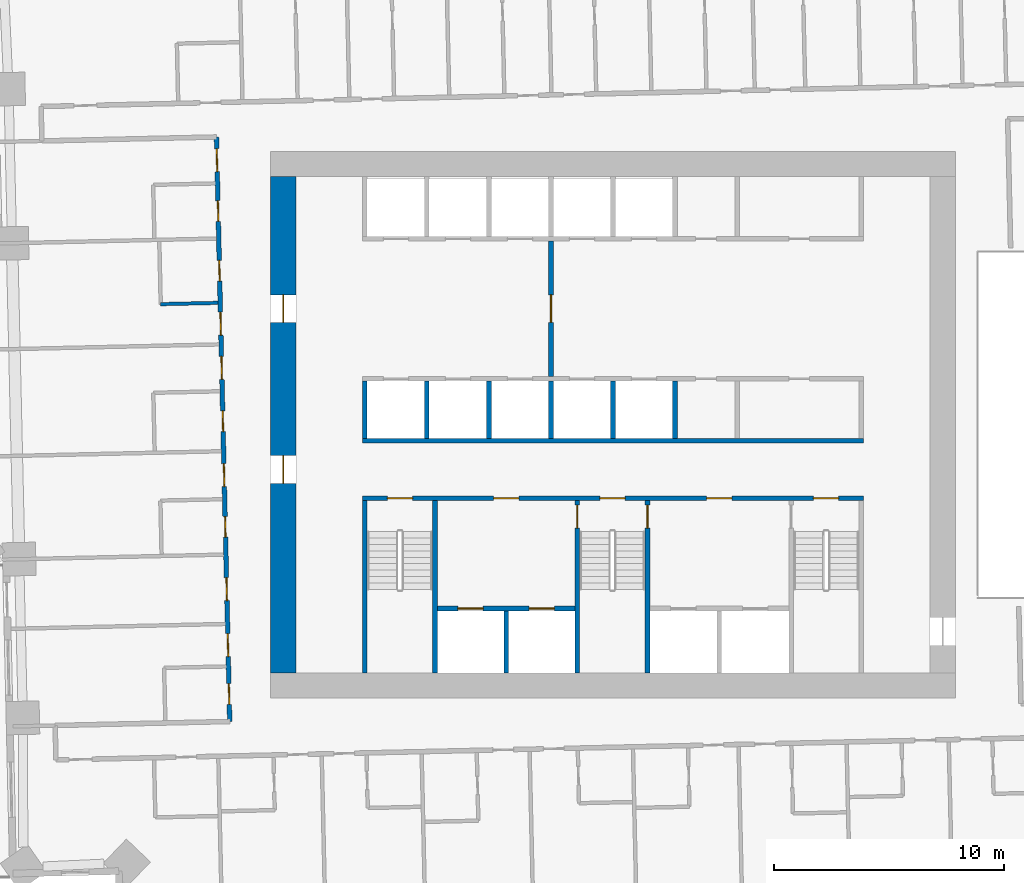
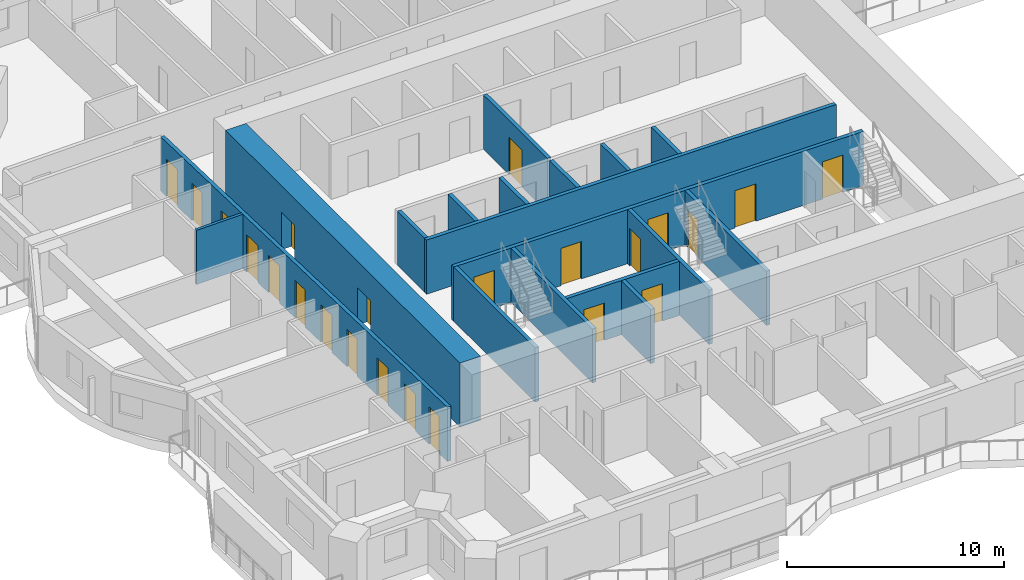
# One storey, part 8 of 17: 23 doors, 18 walls, 23 openings.
"""IFC4 building model written with IfcOpenShell, lengths in metres."""

from ifc_helpers import new_model, si_unit, direction, frame, frame_2d, origin, place, context, subcontext, project, spatial, rectangle, extrude, material, layer, layer_set, type_object, element, fill, save


model = new_model("IFC4")

# Units and contexts
model_context = context("Model", 3, precision=1e-05, world=origin(), true_north=direction((0.0, 1.0)))
body_context = subcontext(model_context, "Body", "Model", "MODEL_VIEW")
ifc_project = project(units=[si_unit("LENGTHUNIT", "METRE"), si_unit("AREAUNIT", "SQUARE_METRE"), si_unit("VOLUMEUNIT", "CUBIC_METRE"), si_unit("PLANEANGLEUNIT", "RADIAN"), si_unit("MASSUNIT", "GRAM", prefix="KILO")], contexts=[model_context])

# Site, building, storey
site_placement = place(None, origin())
site = spatial("IfcSite", under=ifc_project, at=site_placement, CompositionType="ELEMENT")
building_placement = place(site_placement, origin())
building = spatial("IfcBuilding", under=site, at=building_placement, Name="Mangrove Gate Tower", CompositionType="ELEMENT")
storey_placement = place(building_placement, frame((0.0, 0.0, 82.89990234375)))
storey = spatial("IfcBuildingStorey", under=building, at=storey_placement, Name="L20", CompositionType="ELEMENT", Elevation=82.89990234375)

# Wall, opening, door
ifc_material_1 = material(Name="Concrete C32/40", Category="concrete")
ifc_layer_1 = layer(ifc_material_1, 0.199951171875)
ifc_layer_set_1 = layer_set([ifc_layer_1], Name="Core lobby wall 200 C32/40")
wall_type_1 = type_object("IfcWallType", Name="Core lobby wall 200 C32/40", PredefinedType="STANDARD", material=ifc_layer_set_1)
wall_1_placement = place(storey_placement, frame((-2.699951171875, 2.10009765625, 0.0), z_axis=(0.0, 0.0, 1.0), x_axis=(0.0, 1.0, 0.0)))
wall_1 = element("IfcWall", 1, at=wall_1_placement, inside=storey, type_object=wall_type_1, Name="WALL-L20-CORE-35", PredefinedType="STANDARD", context=body_context, shape_type="SweptSolid", body=[
    extrude(rectangle(XDim=5.89990234375, YDim=0.199951171875, at=frame_2d((2.949951171875, 0.0))), origin(), (0.0, 0.0, 1.0), 3.050048828125),
])
opening_1_placement = place(wall_1_placement, frame((2.35009765625, 0.0, 0.0)))
opening_1 = element("IfcOpeningElement", 2, at=opening_1_placement, cuts=wall_1, Name="Opening FL12", PredefinedType="OPENING", context=body_context, shape_type="SweptSolid", body=[
    extrude(rectangle(XDim=1.199951171875, YDim=2.10009765625, at=frame_2d((0.60009765625, 1.050048828125))), frame((0.0, 0.10986328125, 0.0), z_axis=(0.0, -1.0, 0.0), x_axis=(1.0, 0.0, 0.0)), (0.0, 0.0, 1.0), 0.219970703125),
])
ifc_material_2 = material(Name="Fire-rated steel door set", Category="steel")
door_type_1 = type_object("IfcDoorType", Name="Lobby door FD60 1200x2100", OperationType="SINGLE_SWING_LEFT", PredefinedType="DOOR", material=ifc_material_2)
door_1_placement = place(opening_1_placement, origin())
door_1 = element("IfcDoor", 3, at=door_1_placement, inside=storey, type_object=door_type_1, Name="Lobby door lift lobby partition", OperationType="SINGLE_SWING_LEFT", OverallHeight=2.10009765625, OverallWidth=1.199951171875, PredefinedType="DOOR", context=body_context, shape_type="SweptSolid", body=[
    extrude(rectangle(XDim=1.199951171875, YDim=2.10009765625, at=frame_2d((0.60009765625, 1.050048828125))), frame((0.0, 0.02490234375, 0.0), z_axis=(0.0, -1.0, 0.0), x_axis=(1.0, 0.0, 0.0)), (0.0, 0.0, 1.0), 0.050048828125),
])
fill(opening_1, door_1)

# Wall
ifc_material_3 = material(Name="Concrete C70/85", Category="concrete")
ifc_layer_2 = layer(ifc_material_3, 0.199951171875)
ifc_layer_set_2 = layer_set([ifc_layer_2], Name="Core shaft wall 200 C70/85")
wall_type_2 = type_object("IfcWallType", Name="Core shaft wall 200 C70/85", PredefinedType="SHEAR", material=ifc_layer_set_2)
wall_2_placement = place(storey_placement, frame((-10.89990234375, -0.699951171875, 0.0), z_axis=(0.0, 0.0, 1.0), x_axis=(1.0, 0.0, 0.0)))
element("IfcWall", 4, at=wall_2_placement, inside=storey, type_object=wall_type_2, Name="WALL-L20-CORE-6", PredefinedType="SHEAR", context=body_context, shape_type="SweptSolid", body=[
    extrude(rectangle(XDim=21.7998046875, YDim=0.199951171875, at=frame_2d((10.89990234375, 0.0))), origin(), (0.0, 0.0, 1.0), 3.050048828125),
])

# Wall, openings, doors
wall_3_placement = place(storey_placement, frame((-7.64990234375, -8.0, 0.0), z_axis=(0.0, 0.0, 1.0), x_axis=(1.0, 0.0, 0.0)))
wall_3 = element("IfcWall", 5, at=wall_3_placement, inside=storey, type_object=wall_type_2, Name="WALL-L20-CORE-15", PredefinedType="SHEAR", context=body_context, shape_type="SweptSolid", body=[
    extrude(rectangle(XDim=6.0, YDim=0.199951171875, at=frame_2d((3.0, 0.0))), origin(), (0.0, 0.0, 1.0), 3.050048828125),
])
opening_2_placement = place(wall_3_placement, frame((0.89990234375, 0.0, 0.0)))
opening_2 = element("IfcOpeningElement", 6, at=opening_2_placement, cuts=wall_3, Name="Opening LD", PredefinedType="OPENING", context=body_context, shape_type="SweptSolid", body=[
    extrude(rectangle(XDim=1.10009765625, YDim=2.10009765625, at=frame_2d((0.550048828125, 1.050048828125))), frame((0.0, 0.10986328125, 0.0), z_axis=(0.0, -1.0, 0.0), x_axis=(1.0, 0.0, 0.0)), (0.0, 0.0, 1.0), 0.219970703125),
])
opening_3_placement = place(wall_3_placement, frame((4.0, 0.0, 0.0)))
opening_3 = element("IfcOpeningElement", 7, at=opening_3_placement, cuts=wall_3, Name="Opening LD", PredefinedType="OPENING", context=body_context, shape_type="SweptSolid", body=[
    extrude(rectangle(XDim=1.10009765625, YDim=2.10009765625, at=frame_2d((0.550048828125, 1.050048828125))), frame((0.0, 0.10986328125, 0.0), z_axis=(0.0, -1.0, 0.0), x_axis=(1.0, 0.0, 0.0)), (0.0, 0.0, 1.0), 0.219970703125),
])
ifc_material_4 = material(Name="Stainless steel 316", Category="steel")
door_type_2 = type_object("IfcDoorType", Name="Lift landing door 1100x2100", OperationType="SLIDING_TO_LEFT", PredefinedType="DOOR", material=ifc_material_4)
door_2_placement = place(opening_2_placement, origin())
door_2 = element("IfcDoor", 8, at=door_2_placement, inside=storey, type_object=door_type_2, Name="Landing door LD SVL1", OperationType="SLIDING_TO_LEFT", OverallHeight=2.10009765625, OverallWidth=1.10009765625, PredefinedType="DOOR", context=body_context, shape_type="SweptSolid", body=[
    extrude(rectangle(XDim=1.10009765625, YDim=2.10009765625, at=frame_2d((0.550048828125, 1.050048828125))), frame((0.0, 0.02490234375, 0.0), z_axis=(0.0, -1.0, 0.0), x_axis=(1.0, 0.0, 0.0)), (0.0, 0.0, 1.0), 0.050048828125),
])
fill(opening_2, door_2)
door_3_placement = place(opening_3_placement, origin())
door_3 = element("IfcDoor", 9, at=door_3_placement, inside=storey, type_object=door_type_2, Name="Landing door LD SVL2", OperationType="SLIDING_TO_LEFT", OverallHeight=2.10009765625, OverallWidth=1.10009765625, PredefinedType="DOOR", context=body_context, shape_type="SweptSolid", body=[
    extrude(rectangle(XDim=1.10009765625, YDim=2.10009765625, at=frame_2d((0.550048828125, 1.050048828125))), frame((0.0, 0.02490234375, 0.0), z_axis=(0.0, -1.0, 0.0), x_axis=(1.0, 0.0, 0.0)), (0.0, 0.0, 1.0), 0.050048828125),
])
fill(opening_3, door_3)

# Walls
wall_4_placement = place(storey_placement, frame((-4.64990234375, -10.800048828125, 0.0), z_axis=(0.0, 0.0, 1.0), x_axis=(0.0, 1.0, 0.0)))
element("IfcWall", 10, at=wall_4_placement, inside=storey, type_object=wall_type_2, Name="WALL-L20-CORE-16", PredefinedType="SHEAR", context=body_context, shape_type="SweptSolid", body=[
    extrude(rectangle(XDim=2.699951171875, YDim=0.199951171875, at=frame_2d((1.35009765625, 0.0))), origin(), (0.0, 0.0, 1.0), 3.050048828125),
])
for number, where, z_axis, x_axis, name in (
    (11, (-10.800048828125, -0.60009765625, 0.0), (0.0, 0.0, 1.0), (0.0, 1.0, 0.0), "WALL-L20-CORE-19"),
    (12, (-8.10009765625, -0.60009765625, 0.0), (0.0, 0.0, 1.0), (0.0, 1.0, 0.0), "WALL-L20-CORE-20"),
    (13, (-5.39990234375, -0.60009765625, 0.0), (0.0, 0.0, 1.0), (0.0, 1.0, 0.0), "WALL-L20-CORE-21"),
    (14, (-2.699951171875, -0.60009765625, 0.0), (0.0, 0.0, 1.0), (0.0, 1.0, 0.0), "WALL-L20-CORE-22"),
    (15, (0.0, -0.60009765625, 0.0), (0.0, 0.0, 1.0), (0.0, 1.0, 0.0), "WALL-L20-CORE-23"),
    (16, (2.699951171875, -0.60009765625, 0.0), (0.0, 0.0, 1.0), (0.0, 1.0, 0.0), "WALL-L20-CORE-24"),
):
    element("IfcWall", number, at=place(storey_placement, frame(where, z_axis=z_axis, x_axis=x_axis)), inside=storey, type_object=wall_type_2, Name=name, PredefinedType="SHEAR", context=body_context, shape_type="SweptSolid", body=[
        extrude(rectangle(XDim=2.5, YDim=0.199951171875, at=frame_2d((1.25, 0.0))), origin(), (0.0, 0.0, 1.0), 3.050048828125),
    ])

# Wall, openings, doors
ifc_material_5 = material(Name="Concrete C70/85", Category="concrete")
ifc_layer_3 = layer(ifc_material_5, 0.199951171875)
ifc_layer_set_3 = layer_set([ifc_layer_3], Name="Core stair wall 200 C70/85")
wall_type_3 = type_object("IfcWallType", Name="Core stair wall 200 C70/85", PredefinedType="SHEAR", material=ifc_layer_set_3)
wall_5_placement = place(storey_placement, frame((-10.89990234375, -3.199951171875, 0.0), z_axis=(0.0, 0.0, 1.0), x_axis=(1.0, 0.0, 0.0)))
wall_5 = element("IfcWall", 17, at=wall_5_placement, inside=storey, type_object=wall_type_3, Name="WALL-L20-CORE-5", PredefinedType="SHEAR", context=body_context, shape_type="SweptSolid", body=[
    extrude(rectangle(XDim=21.7998046875, YDim=0.199951171875, at=frame_2d((10.89990234375, 0.0))), origin(), (0.0, 0.0, 1.0), 3.050048828125),
])
opening_4_placement = place(wall_5_placement, frame((1.074951171875, 0.0, 0.0)))
opening_4 = element("IfcOpeningElement", 18, at=opening_4_placement, cuts=wall_5, Name="Opening STD11", PredefinedType="OPENING", context=body_context, shape_type="SweptSolid", body=[
    extrude(rectangle(XDim=1.10009765625, YDim=2.10009765625, at=frame_2d((0.550048828125, 1.050048828125))), frame((0.0, 0.10986328125, 0.0), z_axis=(0.0, -1.0, 0.0), x_axis=(1.0, 0.0, 0.0)), (0.0, 0.0, 1.0), 0.219970703125),
])
opening_5_placement = place(wall_5_placement, frame((10.324951171875, 0.0, 0.0)))
opening_5 = element("IfcOpeningElement", 19, at=opening_5_placement, cuts=wall_5, Name="Opening STD11", PredefinedType="OPENING", context=body_context, shape_type="SweptSolid", body=[
    extrude(rectangle(XDim=1.10009765625, YDim=2.10009765625, at=frame_2d((0.550048828125, 1.050048828125))), frame((0.0, 0.10986328125, 0.0), z_axis=(0.0, -1.0, 0.0), x_axis=(1.0, 0.0, 0.0)), (0.0, 0.0, 1.0), 0.219970703125),
])
opening_6_placement = place(wall_5_placement, frame((19.625, 0.0, 0.0)))
opening_6 = element("IfcOpeningElement", 20, at=opening_6_placement, cuts=wall_5, Name="Opening STD11", PredefinedType="OPENING", context=body_context, shape_type="SweptSolid", body=[
    extrude(rectangle(XDim=1.10009765625, YDim=2.10009765625, at=frame_2d((0.550048828125, 1.050048828125))), frame((0.0, 0.10986328125, 0.0), z_axis=(0.0, -1.0, 0.0), x_axis=(1.0, 0.0, 0.0)), (0.0, 0.0, 1.0), 0.219970703125),
])
opening_7_placement = place(wall_5_placement, frame((5.699951171875, 0.0, 0.0)))
opening_7 = element("IfcOpeningElement", 21, at=opening_7_placement, cuts=wall_5, Name="Opening FL", PredefinedType="OPENING", context=body_context, shape_type="SweptSolid", body=[
    extrude(rectangle(XDim=1.10009765625, YDim=2.10009765625, at=frame_2d((0.550048828125, 1.050048828125))), frame((0.0, 0.10986328125, 0.0), z_axis=(0.0, -1.0, 0.0), x_axis=(1.0, 0.0, 0.0)), (0.0, 0.0, 1.0), 0.219970703125),
])
opening_8_placement = place(wall_5_placement, frame((14.97509765625, 0.0, 0.0)))
opening_8 = element("IfcOpeningElement", 22, at=opening_8_placement, cuts=wall_5, Name="Opening FL", PredefinedType="OPENING", context=body_context, shape_type="SweptSolid", body=[
    extrude(rectangle(XDim=1.10009765625, YDim=2.10009765625, at=frame_2d((0.550048828125, 1.050048828125))), frame((0.0, 0.10986328125, 0.0), z_axis=(0.0, -1.0, 0.0), x_axis=(1.0, 0.0, 0.0)), (0.0, 0.0, 1.0), 0.219970703125),
])
ifc_material_6 = material(Name="Fire-rated steel door set", Category="steel")
door_type_3 = type_object("IfcDoorType", Name="Lobby door FD60 1100x2100", OperationType="SINGLE_SWING_LEFT", PredefinedType="DOOR", material=ifc_material_6)
door_4_placement = place(opening_7_placement, origin())
door_4 = element("IfcDoor", 23, at=door_4_placement, inside=storey, type_object=door_type_3, Name="Lobby door service lobby", OperationType="SINGLE_SWING_LEFT", OverallHeight=2.10009765625, OverallWidth=1.10009765625, PredefinedType="DOOR", context=body_context, shape_type="SweptSolid", body=[
    extrude(rectangle(XDim=1.10009765625, YDim=2.10009765625, at=frame_2d((0.550048828125, 1.050048828125))), frame((0.0, 0.02490234375, 0.0), z_axis=(0.0, -1.0, 0.0), x_axis=(1.0, 0.0, 0.0)), (0.0, 0.0, 1.0), 0.050048828125),
])
fill(opening_7, door_4)
door_5_placement = place(opening_8_placement, origin())
door_5 = element("IfcDoor", 24, at=door_5_placement, inside=storey, type_object=door_type_3, Name="Lobby door fire-fighting lobby", OperationType="SINGLE_SWING_LEFT", OverallHeight=2.10009765625, OverallWidth=1.10009765625, PredefinedType="DOOR", context=body_context, shape_type="SweptSolid", body=[
    extrude(rectangle(XDim=1.10009765625, YDim=2.10009765625, at=frame_2d((0.550048828125, 1.050048828125))), frame((0.0, 0.02490234375, 0.0), z_axis=(0.0, -1.0, 0.0), x_axis=(1.0, 0.0, 0.0)), (0.0, 0.0, 1.0), 0.050048828125),
])
fill(opening_8, door_5)
ifc_material_7 = material(Name="Fire-rated steel door set", Category="steel")
door_type_4 = type_object("IfcDoorType", Name="Stair door FD60 1100x2100", OperationType="SINGLE_SWING_RIGHT", PredefinedType="DOOR", material=ifc_material_7)
door_6_placement = place(opening_4_placement, origin())
door_6 = element("IfcDoor", 25, at=door_6_placement, inside=storey, type_object=door_type_4, Name="Stair door Stair 1", OperationType="SINGLE_SWING_RIGHT", OverallHeight=2.10009765625, OverallWidth=1.10009765625, PredefinedType="DOOR", context=body_context, shape_type="SweptSolid", body=[
    extrude(rectangle(XDim=1.10009765625, YDim=2.10009765625, at=frame_2d((0.550048828125, 1.050048828125))), frame((0.0, 0.02490234375, 0.0), z_axis=(0.0, -1.0, 0.0), x_axis=(1.0, 0.0, 0.0)), (0.0, 0.0, 1.0), 0.050048828125),
])
fill(opening_4, door_6)
door_7_placement = place(opening_5_placement, origin())
door_7 = element("IfcDoor", 26, at=door_7_placement, inside=storey, type_object=door_type_4, Name="Stair door Stair 2", OperationType="SINGLE_SWING_RIGHT", OverallHeight=2.10009765625, OverallWidth=1.10009765625, PredefinedType="DOOR", context=body_context, shape_type="SweptSolid", body=[
    extrude(rectangle(XDim=1.10009765625, YDim=2.10009765625, at=frame_2d((0.550048828125, 1.050048828125))), frame((0.0, 0.02490234375, 0.0), z_axis=(0.0, -1.0, 0.0), x_axis=(1.0, 0.0, 0.0)), (0.0, 0.0, 1.0), 0.050048828125),
])
fill(opening_5, door_7)
door_8_placement = place(opening_6_placement, origin())
door_8 = element("IfcDoor", 27, at=door_8_placement, inside=storey, type_object=door_type_4, Name="Stair door Stair 3", OperationType="SINGLE_SWING_RIGHT", OverallHeight=2.10009765625, OverallWidth=1.10009765625, PredefinedType="DOOR", context=body_context, shape_type="SweptSolid", body=[
    extrude(rectangle(XDim=1.10009765625, YDim=2.10009765625, at=frame_2d((0.550048828125, 1.050048828125))), frame((0.0, 0.02490234375, 0.0), z_axis=(0.0, -1.0, 0.0), x_axis=(1.0, 0.0, 0.0)), (0.0, 0.0, 1.0), 0.050048828125),
])
fill(opening_6, door_8)

# Walls
for number, where, z_axis, x_axis, name in (
    (28, (-10.800048828125, -10.800048828125, 0.0), (0.0, 0.0, 1.0), (0.0, 1.0, 0.0), "WALL-L20-CORE-9"),
    (29, (-7.75, -10.800048828125, 0.0), (0.0, 0.0, 1.0), (0.0, 1.0, 0.0), "WALL-L20-CORE-10"),
):
    element("IfcWall", number, at=place(storey_placement, frame(where, z_axis=z_axis, x_axis=x_axis)), inside=storey, type_object=wall_type_3, Name=name, PredefinedType="SHEAR", context=body_context, shape_type="SweptSolid", body=[
        extrude(rectangle(XDim=7.5, YDim=0.199951171875, at=frame_2d((3.75, 0.0))), origin(), (0.0, 0.0, 1.0), 3.050048828125),
    ])

# Wall, opening, door
wall_6_placement = place(storey_placement, frame((-1.550048828125, -10.800048828125, 0.0), z_axis=(0.0, 0.0, 1.0), x_axis=(0.0, 1.0, 0.0)))
wall_6 = element("IfcWall", 30, at=wall_6_placement, inside=storey, type_object=wall_type_3, Name="WALL-L20-CORE-11", PredefinedType="SHEAR", context=body_context, shape_type="SweptSolid", body=[
    extrude(rectangle(XDim=7.5, YDim=0.199951171875, at=frame_2d((3.75, 0.0))), origin(), (0.0, 0.0, 1.0), 3.050048828125),
])
opening_9_placement = place(wall_6_placement, frame((6.300048828125, 0.0, 0.0)))
opening_9 = element("IfcOpeningElement", 31, at=opening_9_placement, cuts=wall_6, Name="Opening STD10", PredefinedType="OPENING", context=body_context, shape_type="SweptSolid", body=[
    extrude(rectangle(XDim=1.0, YDim=2.10009765625, at=frame_2d((0.5, 1.050048828125))), frame((0.0, 0.10986328125, 0.0), z_axis=(0.0, -1.0, 0.0), x_axis=(1.0, 0.0, 0.0)), (0.0, 0.0, 1.0), 0.219970703125),
])
ifc_material_8 = material(Name="Fire-rated steel door set", Category="steel")
door_type_5 = type_object("IfcDoorType", Name="Stair door FD60 1000x2100", OperationType="SINGLE_SWING_RIGHT", PredefinedType="DOOR", material=ifc_material_8)
door_9_placement = place(opening_9_placement, origin())
door_9 = element("IfcDoor", 32, at=door_9_placement, inside=storey, type_object=door_type_5, Name="Stair door Stair 2 from service lobby", OperationType="SINGLE_SWING_RIGHT", OverallHeight=2.10009765625, OverallWidth=1.0, PredefinedType="DOOR", context=body_context, shape_type="SweptSolid", body=[
    extrude(rectangle(XDim=1.0, YDim=2.10009765625, at=frame_2d((0.5, 1.050048828125))), frame((0.0, 0.02490234375, 0.0), z_axis=(0.0, -1.0, 0.0), x_axis=(1.0, 0.0, 0.0)), (0.0, 0.0, 1.0), 0.050048828125),
])
fill(opening_9, door_9)

wall_7_placement = place(storey_placement, frame((1.5, -10.800048828125, 0.0), z_axis=(0.0, 0.0, 1.0), x_axis=(0.0, 1.0, 0.0)))
wall_7 = element("IfcWall", 33, at=wall_7_placement, inside=storey, type_object=wall_type_3, Name="WALL-L20-CORE-12", PredefinedType="SHEAR", context=body_context, shape_type="SweptSolid", body=[
    extrude(rectangle(XDim=7.5, YDim=0.199951171875, at=frame_2d((3.75, 0.0))), origin(), (0.0, 0.0, 1.0), 3.050048828125),
])
opening_10_placement = place(wall_7_placement, frame((6.300048828125, 0.0, 0.0)))
opening_10 = element("IfcOpeningElement", 34, at=opening_10_placement, cuts=wall_7, Name="Opening STD10", PredefinedType="OPENING", context=body_context, shape_type="SweptSolid", body=[
    extrude(rectangle(XDim=1.0, YDim=2.10009765625, at=frame_2d((0.5, 1.050048828125))), frame((0.0, 0.10986328125, 0.0), z_axis=(0.0, -1.0, 0.0), x_axis=(1.0, 0.0, 0.0)), (0.0, 0.0, 1.0), 0.219970703125),
])
door_10_placement = place(opening_10_placement, origin())
door_10 = element("IfcDoor", 35, at=door_10_placement, inside=storey, type_object=door_type_5, Name="Stair door Stair 2 from fire-fighting lobby", OperationType="SINGLE_SWING_RIGHT", OverallHeight=2.10009765625, OverallWidth=1.0, PredefinedType="DOOR", context=body_context, shape_type="SweptSolid", body=[
    extrude(rectangle(XDim=1.0, YDim=2.10009765625, at=frame_2d((0.5, 1.050048828125))), frame((0.0, 0.02490234375, 0.0), z_axis=(0.0, -1.0, 0.0), x_axis=(1.0, 0.0, 0.0)), (0.0, 0.0, 1.0), 0.050048828125),
])
fill(opening_10, door_10)

# Wall, openings, doors
ifc_material_9 = material(Name="Concrete C70/85", Category="concrete")
ifc_layer_4 = layer(ifc_material_9, 1.10009765625)
ifc_layer_set_4 = layer_set([ifc_layer_4], Name="Core wall 1100 C70/85")
wall_type_4 = type_object("IfcWallType", Name="Core wall 1100 C70/85", PredefinedType="SHEAR", material=ifc_layer_set_4)
wall_8_placement = place(storey_placement, frame((-14.35009765625, -10.800048828125, 0.0), z_axis=(0.0, 0.0, 1.0), x_axis=(0.0, 1.0, 0.0)))
wall_8 = element("IfcWall", 36, at=wall_8_placement, inside=storey, type_object=wall_type_4, Name="WALL-L20-CORE-3", PredefinedType="SHEAR", context=body_context, shape_type="SweptSolid", body=[
    extrude(rectangle(XDim=21.60009765625, YDim=1.10009765625, at=frame_2d((10.800048828125, 0.0))), origin(), (0.0, 0.0, 1.0), 3.60009765625),
])
opening_11_placement = place(wall_8_placement, frame((8.25, 0.0, 0.0)))
opening_11 = element("IfcOpeningElement", 37, at=opening_11_placement, cuts=wall_8, Name="Opening CD", PredefinedType="OPENING", context=body_context, shape_type="SweptSolid", body=[
    extrude(rectangle(XDim=1.199951171875, YDim=2.10009765625, at=frame_2d((0.60009765625, 1.050048828125))), frame((0.0, 0.56005859375, 0.0), z_axis=(0.0, -1.0, 0.0), x_axis=(1.0, 0.0, 0.0)), (0.0, 0.0, 1.0), 1.1201171875),
])
opening_12_placement = place(wall_8_placement, frame((15.25, 0.0, 0.0)))
opening_12 = element("IfcOpeningElement", 38, at=opening_12_placement, cuts=wall_8, Name="Opening CD", PredefinedType="OPENING", context=body_context, shape_type="SweptSolid", body=[
    extrude(rectangle(XDim=1.199951171875, YDim=2.10009765625, at=frame_2d((0.60009765625, 1.050048828125))), frame((0.0, 0.56005859375, 0.0), z_axis=(0.0, -1.0, 0.0), x_axis=(1.0, 0.0, 0.0)), (0.0, 0.0, 1.0), 1.1201171875),
])
ifc_material_10 = material(Name="Fire-rated steel door set", Category="steel")
door_type_6 = type_object("IfcDoorType", Name="Core ring door FD60 1200x2100", OperationType="DOUBLE_DOOR_SINGLE_SWING", PredefinedType="DOOR", material=ifc_material_10)
door_11_placement = place(opening_11_placement, origin())
door_11 = element("IfcDoor", 39, at=door_11_placement, inside=storey, type_object=door_type_6, Name="Core ring door W1", OperationType="DOUBLE_DOOR_SINGLE_SWING", OverallHeight=2.10009765625, OverallWidth=1.199951171875, PredefinedType="DOOR", context=body_context, shape_type="SweptSolid", body=[
    extrude(rectangle(XDim=1.199951171875, YDim=2.10009765625, at=frame_2d((0.60009765625, 1.050048828125))), frame((0.0, 0.02490234375, 0.0), z_axis=(0.0, -1.0, 0.0), x_axis=(1.0, 0.0, 0.0)), (0.0, 0.0, 1.0), 0.050048828125),
])
fill(opening_11, door_11)
door_12_placement = place(opening_12_placement, origin())
door_12 = element("IfcDoor", 40, at=door_12_placement, inside=storey, type_object=door_type_6, Name="Core ring door W2", OperationType="DOUBLE_DOOR_SINGLE_SWING", OverallHeight=2.10009765625, OverallWidth=1.199951171875, PredefinedType="DOOR", context=body_context, shape_type="SweptSolid", body=[
    extrude(rectangle(XDim=1.199951171875, YDim=2.10009765625, at=frame_2d((0.60009765625, 1.050048828125))), frame((0.0, 0.02490234375, 0.0), z_axis=(0.0, -1.0, 0.0), x_axis=(1.0, 0.0, 0.0)), (0.0, 0.0, 1.0), 0.050048828125),
])
fill(opening_12, door_12)

ifc_material_11 = material(Name="Gypsum board on steel stud, EI 60", Category="steel")
ifc_layer_5 = layer(ifc_material_11, 0.199951171875)
ifc_layer_set_5 = layer_set([ifc_layer_5], Name="Corridor wall EI 60")
wall_type_5 = type_object("IfcWallType", Name="Corridor wall EI 60", PredefinedType="PARTITIONING", material=ifc_layer_set_5)
wall_9_placement = place(storey_placement, frame((-16.68408203125, -12.9189453125, 0.0), z_axis=(0.0, 0.0, 1.0), x_axis=(-0.022706151961, 0.999742182097, 0.0)))
wall_9 = element("IfcWall", 41, at=wall_9_placement, inside=storey, type_object=wall_type_5, Name="WALL-L20-036", PredefinedType="PARTITIONING", context=body_context, shape_type="SweptSolid", body=[
    extrude(rectangle(XDim=25.450439453125, YDim=0.199951171875, at=frame_2d((12.72509765625, 0.0))), origin(), (0.0, 0.0, 1.0), 3.050048828125),
])
opening_13_placement = place(wall_9_placement, frame((23.93798828125, 0.0, 0.0)))
opening_13 = element("IfcOpeningElement", 42, at=opening_13_placement, cuts=wall_9, Name="Opening AD", PredefinedType="OPENING", context=body_context, shape_type="SweptSolid", body=[
    extrude(rectangle(XDim=1.0, YDim=2.10009765625, at=frame_2d((0.5, 1.050048828125))), frame((0.0, 0.10986328125, 0.0), z_axis=(0.0, -1.0, 0.0), x_axis=(1.0, 0.0, 0.0)), (0.0, 0.0, 1.0), 0.219970703125),
])
opening_14_placement = place(wall_9_placement, frame((21.77490234375, 0.0, 0.0)))
opening_14 = element("IfcOpeningElement", 43, at=opening_14_placement, cuts=wall_9, Name="Opening SD", PredefinedType="OPENING", context=body_context, shape_type="SweptSolid", body=[
    extrude(rectangle(XDim=0.89990234375, YDim=2.10009765625, at=frame_2d((0.449951171875, 1.050048828125))), frame((0.0, 0.10986328125, 0.0), z_axis=(0.0, -1.0, 0.0), x_axis=(1.0, 0.0, 0.0)), (0.0, 0.0, 1.0), 0.219970703125),
])
opening_15_placement = place(wall_9_placement, frame((16.824951171875, 0.0, 0.0)))
opening_15 = element("IfcOpeningElement", 44, at=opening_15_placement, cuts=wall_9, Name="Opening AD", PredefinedType="OPENING", context=body_context, shape_type="SweptSolid", body=[
    extrude(rectangle(XDim=1.0, YDim=2.10009765625, at=frame_2d((0.5, 1.050048828125))), frame((0.0, 0.10986328125, 0.0), z_axis=(0.0, -1.0, 0.0), x_axis=(1.0, 0.0, 0.0)), (0.0, 0.0, 1.0), 0.219970703125),
])
opening_16_placement = place(wall_9_placement, frame((19.175048828125, 0.0, 0.0)))
opening_16 = element("IfcOpeningElement", 45, at=opening_16_placement, cuts=wall_9, Name="Opening SD", PredefinedType="OPENING", context=body_context, shape_type="SweptSolid", body=[
    extrude(rectangle(XDim=0.89990234375, YDim=2.10009765625, at=frame_2d((0.449951171875, 1.050048828125))), frame((0.0, 0.10986328125, 0.0), z_axis=(0.0, -1.0, 0.0), x_axis=(1.0, 0.0, 0.0)), (0.0, 0.0, 1.0), 0.219970703125),
])
opening_17_placement = place(wall_9_placement, frame((14.89990234375, 0.0, 0.0)))
opening_17 = element("IfcOpeningElement", 46, at=opening_17_placement, cuts=wall_9, Name="Opening AD", PredefinedType="OPENING", context=body_context, shape_type="SweptSolid", body=[
    extrude(rectangle(XDim=1.0, YDim=2.10009765625, at=frame_2d((0.5, 1.050048828125))), frame((0.0, 0.10986328125, 0.0), z_axis=(0.0, -1.0, 0.0), x_axis=(1.0, 0.0, 0.0)), (0.0, 0.0, 1.0), 0.219970703125),
])
opening_18_placement = place(wall_9_placement, frame((12.625, 0.0, 0.0)))
opening_18 = element("IfcOpeningElement", 47, at=opening_18_placement, cuts=wall_9, Name="Opening SD", PredefinedType="OPENING", context=body_context, shape_type="SweptSolid", body=[
    extrude(rectangle(XDim=0.89990234375, YDim=2.10009765625, at=frame_2d((0.449951171875, 1.050048828125))), frame((0.0, 0.10986328125, 0.0), z_axis=(0.0, -1.0, 0.0), x_axis=(1.0, 0.0, 0.0)), (0.0, 0.0, 1.0), 0.219970703125),
])
opening_19_placement = place(wall_9_placement, frame((10.22509765625, 0.0, 0.0)))
opening_19 = element("IfcOpeningElement", 48, at=opening_19_placement, cuts=wall_9, Name="Opening AD", PredefinedType="OPENING", context=body_context, shape_type="SweptSolid", body=[
    extrude(rectangle(XDim=1.0, YDim=2.10009765625, at=frame_2d((0.5, 1.050048828125))), frame((0.0, 0.10986328125, 0.0), z_axis=(0.0, -1.0, 0.0), x_axis=(1.0, 0.0, 0.0)), (0.0, 0.0, 1.0), 0.219970703125),
])
opening_20_placement = place(wall_9_placement, frame((8.02490234375, 0.0, 0.0)))
opening_20 = element("IfcOpeningElement", 49, at=opening_20_placement, cuts=wall_9, Name="Opening SD", PredefinedType="OPENING", context=body_context, shape_type="SweptSolid", body=[
    extrude(rectangle(XDim=0.89990234375, YDim=2.10009765625, at=frame_2d((0.449951171875, 1.050048828125))), frame((0.0, 0.10986328125, 0.0), z_axis=(0.0, -1.0, 0.0), x_axis=(1.0, 0.0, 0.0)), (0.0, 0.0, 1.0), 0.219970703125),
])
opening_21_placement = place(wall_9_placement, frame((5.261962890625, 0.0, 0.0)))
opening_21 = element("IfcOpeningElement", 50, at=opening_21_placement, cuts=wall_9, Name="Opening AD", PredefinedType="OPENING", context=body_context, shape_type="SweptSolid", body=[
    extrude(rectangle(XDim=1.0, YDim=2.10009765625, at=frame_2d((0.5, 1.050048828125))), frame((0.0, 0.10986328125, 0.0), z_axis=(0.0, -1.0, 0.0), x_axis=(1.0, 0.0, 0.0)), (0.0, 0.0, 1.0), 0.219970703125),
])
opening_22_placement = place(wall_9_placement, frame((2.824951171875, 0.0, 0.0)))
opening_22 = element("IfcOpeningElement", 51, at=opening_22_placement, cuts=wall_9, Name="Opening AD", PredefinedType="OPENING", context=body_context, shape_type="SweptSolid", body=[
    extrude(rectangle(XDim=1.0, YDim=2.10009765625, at=frame_2d((0.5, 1.050048828125))), frame((0.0, 0.10986328125, 0.0), z_axis=(0.0, -1.0, 0.0), x_axis=(1.0, 0.0, 0.0)), (0.0, 0.0, 1.0), 0.219970703125),
])
opening_23_placement = place(wall_9_placement, frame((0.75, 0.0, 0.0)))
opening_23 = element("IfcOpeningElement", 52, at=opening_23_placement, cuts=wall_9, Name="Opening SD", PredefinedType="OPENING", context=body_context, shape_type="SweptSolid", body=[
    extrude(rectangle(XDim=0.89990234375, YDim=2.10009765625, at=frame_2d((0.449951171875, 1.050048828125))), frame((0.0, 0.10986328125, 0.0), z_axis=(0.0, -1.0, 0.0), x_axis=(1.0, 0.0, 0.0)), (0.0, 0.0, 1.0), 0.219970703125),
])
ifc_material_12 = material(Name="Timber door leaf", Category="wood")
door_type_7 = type_object("IfcDoorType", Name="Amenity door 1000", OperationType="SINGLE_SWING_LEFT", PredefinedType="DOOR", material=ifc_material_12)
door_13_placement = place(opening_13_placement, origin())
door_13 = element("IfcDoor", 53, at=door_13_placement, inside=storey, type_object=door_type_7, Name="DOOR-L20-GAM-c5b", OperationType="SINGLE_SWING_LEFT", OverallHeight=2.10009765625, OverallWidth=1.0, PredefinedType="DOOR", context=body_context, shape_type="SweptSolid", body=[
    extrude(rectangle(XDim=1.0, YDim=2.10009765625, at=frame_2d((0.5, 1.050048828125))), frame((0.0, 0.02490234375, 0.0), z_axis=(0.0, -1.0, 0.0), x_axis=(1.0, 0.0, 0.0)), (0.0, 0.0, 1.0), 0.050048828125),
])
fill(opening_13, door_13)
door_14_placement = place(opening_15_placement, origin())
door_14 = element("IfcDoor", 54, at=door_14_placement, inside=storey, type_object=door_type_7, Name="DOOR-L20-STU-c5a", OperationType="SINGLE_SWING_RIGHT", OverallHeight=2.10009765625, OverallWidth=1.0, PredefinedType="DOOR", context=body_context, shape_type="SweptSolid", body=[
    extrude(rectangle(XDim=1.0, YDim=2.10009765625, at=frame_2d((0.5, 1.050048828125))), frame((0.0, 0.02490234375, 0.0), z_axis=(0.0, -1.0, 0.0), x_axis=(1.0, 0.0, 0.0)), (0.0, 0.0, 1.0), 0.050048828125),
])
fill(opening_15, door_14)
door_15_placement = place(opening_17_placement, origin())
door_15 = element("IfcDoor", 55, at=door_15_placement, inside=storey, type_object=door_type_7, Name="DOOR-L20-LNG-c5a", OperationType="SINGLE_SWING_LEFT", OverallHeight=2.10009765625, OverallWidth=1.0, PredefinedType="DOOR", context=body_context, shape_type="SweptSolid", body=[
    extrude(rectangle(XDim=1.0, YDim=2.10009765625, at=frame_2d((0.5, 1.050048828125))), frame((0.0, 0.02490234375, 0.0), z_axis=(0.0, -1.0, 0.0), x_axis=(1.0, 0.0, 0.0)), (0.0, 0.0, 1.0), 0.050048828125),
])
fill(opening_17, door_15)
door_16_placement = place(opening_19_placement, origin())
door_16 = element("IfcDoor", 56, at=door_16_placement, inside=storey, type_object=door_type_7, Name="DOOR-L20-GAM-c5c", OperationType="SINGLE_SWING_RIGHT", OverallHeight=2.10009765625, OverallWidth=1.0, PredefinedType="DOOR", context=body_context, shape_type="SweptSolid", body=[
    extrude(rectangle(XDim=1.0, YDim=2.10009765625, at=frame_2d((0.5, 1.050048828125))), frame((0.0, 0.02490234375, 0.0), z_axis=(0.0, -1.0, 0.0), x_axis=(1.0, 0.0, 0.0)), (0.0, 0.0, 1.0), 0.050048828125),
])
fill(opening_19, door_16)
door_17_placement = place(opening_21_placement, origin())
door_17 = element("IfcDoor", 57, at=door_17_placement, inside=storey, type_object=door_type_7, Name="DOOR-L20-STU-c5b", OperationType="SINGLE_SWING_LEFT", OverallHeight=2.10009765625, OverallWidth=1.0, PredefinedType="DOOR", context=body_context, shape_type="SweptSolid", body=[
    extrude(rectangle(XDim=1.0, YDim=2.10009765625, at=frame_2d((0.5, 1.050048828125))), frame((0.0, 0.02490234375, 0.0), z_axis=(0.0, -1.0, 0.0), x_axis=(1.0, 0.0, 0.0)), (0.0, 0.0, 1.0), 0.050048828125),
])
fill(opening_21, door_17)
door_18_placement = place(opening_22_placement, origin())
door_18 = element("IfcDoor", 58, at=door_18_placement, inside=storey, type_object=door_type_7, Name="DOOR-L20-LNG-c5b", OperationType="SINGLE_SWING_RIGHT", OverallHeight=2.10009765625, OverallWidth=1.0, PredefinedType="DOOR", context=body_context, shape_type="SweptSolid", body=[
    extrude(rectangle(XDim=1.0, YDim=2.10009765625, at=frame_2d((0.5, 1.050048828125))), frame((0.0, 0.02490234375, 0.0), z_axis=(0.0, -1.0, 0.0), x_axis=(1.0, 0.0, 0.0)), (0.0, 0.0, 1.0), 0.050048828125),
])
fill(opening_22, door_18)
ifc_material_13 = material(Name="Timber door leaf", Category="wood")
door_type_8 = type_object("IfcDoorType", Name="Service room door 900", OperationType="SINGLE_SWING_LEFT", PredefinedType="DOOR", material=ifc_material_13)
door_19_placement = place(opening_14_placement, origin())
door_19 = element("IfcDoor", 59, at=door_19_placement, inside=storey, type_object=door_type_8, Name="DOOR-L20-WC-c5a", OperationType="SINGLE_SWING_LEFT", OverallHeight=2.10009765625, OverallWidth=0.89990234375, PredefinedType="DOOR", context=body_context, shape_type="SweptSolid", body=[
    extrude(rectangle(XDim=0.89990234375, YDim=2.10009765625, at=frame_2d((0.449951171875, 1.050048828125))), frame((0.0, 0.02490234375, 0.0), z_axis=(0.0, -1.0, 0.0), x_axis=(1.0, 0.0, 0.0)), (0.0, 0.0, 1.0), 0.050048828125),
])
fill(opening_14, door_19)
door_20_placement = place(opening_16_placement, origin())
door_20 = element("IfcDoor", 60, at=door_20_placement, inside=storey, type_object=door_type_8, Name="DOOR-L20-LDY-c5b", OperationType="SINGLE_SWING_RIGHT", OverallHeight=2.10009765625, OverallWidth=0.89990234375, PredefinedType="DOOR", context=body_context, shape_type="SweptSolid", body=[
    extrude(rectangle(XDim=0.89990234375, YDim=2.10009765625, at=frame_2d((0.449951171875, 1.050048828125))), frame((0.0, 0.02490234375, 0.0), z_axis=(0.0, -1.0, 0.0), x_axis=(1.0, 0.0, 0.0)), (0.0, 0.0, 1.0), 0.050048828125),
])
fill(opening_16, door_20)
door_21_placement = place(opening_18_placement, origin())
door_21 = element("IfcDoor", 61, at=door_21_placement, inside=storey, type_object=door_type_8, Name="DOOR-L20-AWC-c5a", OperationType="SINGLE_SWING_LEFT", OverallHeight=2.10009765625, OverallWidth=0.89990234375, PredefinedType="DOOR", context=body_context, shape_type="SweptSolid", body=[
    extrude(rectangle(XDim=0.89990234375, YDim=2.10009765625, at=frame_2d((0.449951171875, 1.050048828125))), frame((0.0, 0.02490234375, 0.0), z_axis=(0.0, -1.0, 0.0), x_axis=(1.0, 0.0, 0.0)), (0.0, 0.0, 1.0), 0.050048828125),
])
fill(opening_18, door_21)
door_22_placement = place(opening_20_placement, origin())
door_22 = element("IfcDoor", 62, at=door_22_placement, inside=storey, type_object=door_type_8, Name="DOOR-L20-WC-c5b", OperationType="SINGLE_SWING_RIGHT", OverallHeight=2.10009765625, OverallWidth=0.89990234375, PredefinedType="DOOR", context=body_context, shape_type="SweptSolid", body=[
    extrude(rectangle(XDim=0.89990234375, YDim=2.10009765625, at=frame_2d((0.449951171875, 1.050048828125))), frame((0.0, 0.02490234375, 0.0), z_axis=(0.0, -1.0, 0.0), x_axis=(1.0, 0.0, 0.0)), (0.0, 0.0, 1.0), 0.050048828125),
])
fill(opening_20, door_22)
door_23_placement = place(opening_23_placement, origin())
door_23 = element("IfcDoor", 63, at=door_23_placement, inside=storey, type_object=door_type_8, Name="DOOR-L20-WC-c5c", OperationType="SINGLE_SWING_LEFT", OverallHeight=2.10009765625, OverallWidth=0.89990234375, PredefinedType="DOOR", context=body_context, shape_type="SweptSolid", body=[
    extrude(rectangle(XDim=0.89990234375, YDim=2.10009765625, at=frame_2d((0.449951171875, 1.050048828125))), frame((0.0, 0.02490234375, 0.0), z_axis=(0.0, -1.0, 0.0), x_axis=(1.0, 0.0, 0.0)), (0.0, 0.0, 1.0), 0.050048828125),
])
fill(opening_23, door_23)

# Wall
ifc_material_14 = material(Name="Gypsum board on steel stud, EI 60", Category="steel")
ifc_layer_6 = layer(ifc_material_14, 0.14990234375)
ifc_layer_set_6 = layer_set([ifc_layer_6], Name="Party wall 150 EI 60")
wall_type_6 = type_object("IfcWallType", Name="Party wall 150 EI 60", PredefinedType="PARTITIONING", material=ifc_layer_set_6)
wall_10_placement = place(storey_placement, frame((-19.69189453125, 5.248046875, 0.0), z_axis=(0.0, 0.0, 1.0), x_axis=(0.999740977561, 0.022759125332, 0.0)))
element("IfcWall", 64, at=wall_10_placement, inside=storey, type_object=wall_type_6, Name="WALL-L20-050", PredefinedType="PARTITIONING", context=body_context, shape_type="SweptSolid", body=[
    extrude(rectangle(XDim=2.49951171875, YDim=0.14990234375, at=frame_2d((1.249755859375, 0.0))), origin(), (0.0, 0.0, 1.0), 3.050048828125),
])

save(model, "model.ifc")
